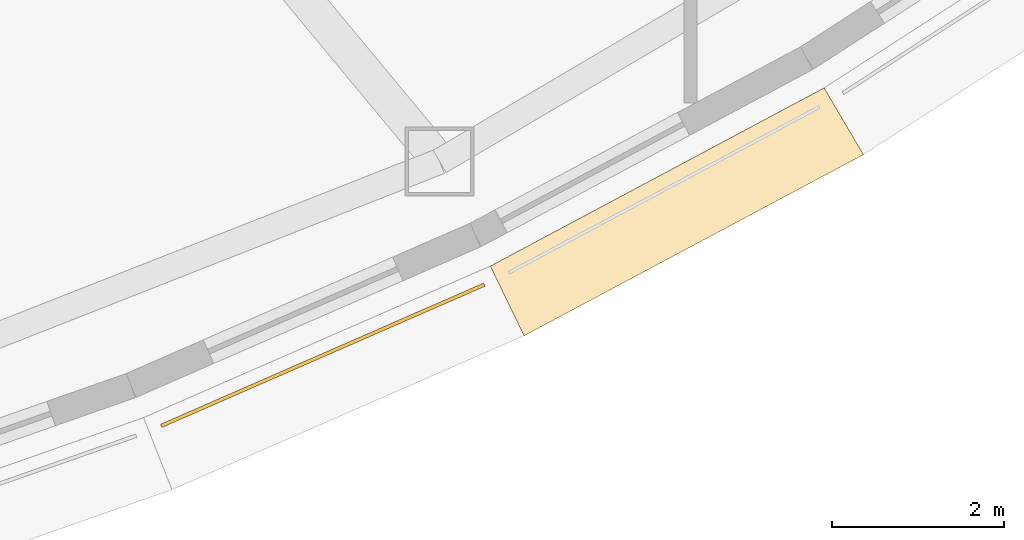
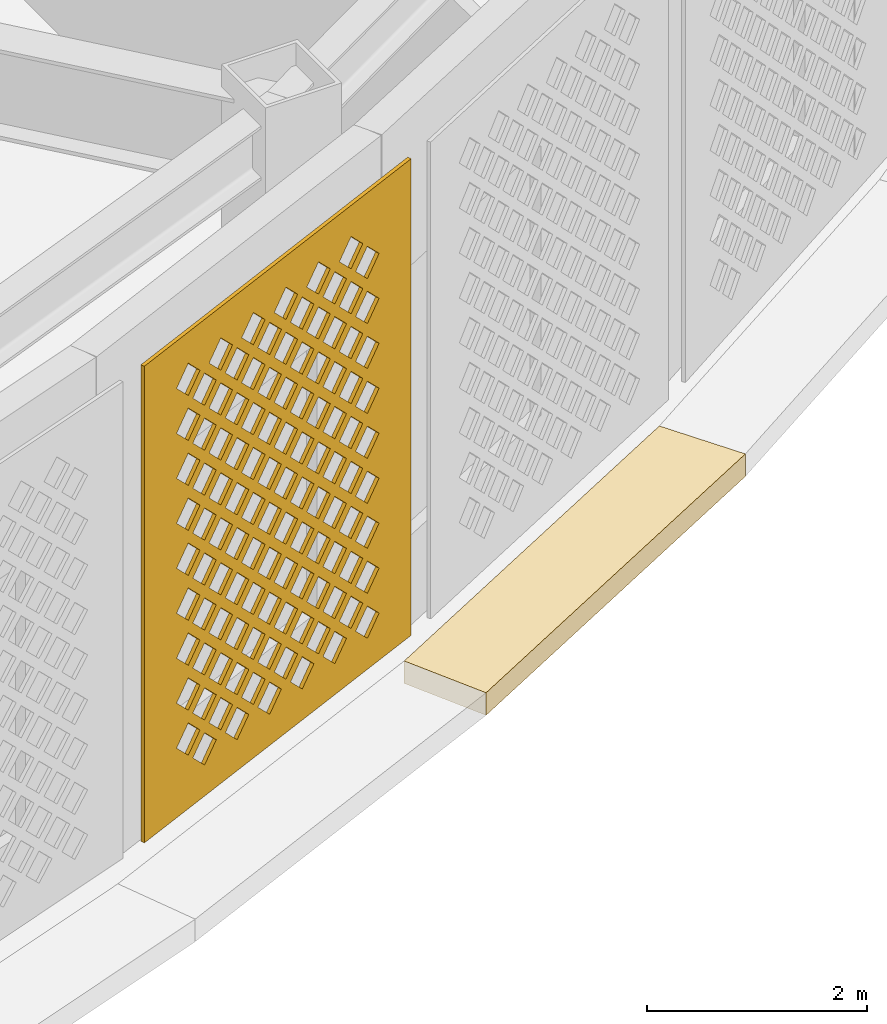
# One storey, part 64 of 74: 2 coverings.
"""IFC4 building model written with IfcOpenShell, lengths in metres."""

from ifc_helpers import new_model, si_unit, direction, frame, origin, place, context, subcontext, project, spatial, polyline, outline, extrude, material, layer, layer_set, type_object, element, save


model = new_model("IFC4")

# Units and contexts
model_context = context("Model", 3, precision=1e-05, world=origin(), true_north=direction((0.0, 1.0)))
body_context = subcontext(model_context, "Body", "Model", "MODEL_VIEW")
ifc_project = project(units=[si_unit("LENGTHUNIT", "METRE"), si_unit("AREAUNIT", "SQUARE_METRE"), si_unit("VOLUMEUNIT", "CUBIC_METRE"), si_unit("PLANEANGLEUNIT", "RADIAN"), si_unit("MASSUNIT", "GRAM", prefix="KILO")], contexts=[model_context])

# Site, building, storey
site_placement = place(None, origin())
site = spatial("IfcSite", under=ifc_project, at=site_placement, CompositionType="ELEMENT")
building_placement = place(site_placement, origin())
building = spatial("IfcBuilding", under=site, at=building_placement, Name="Noorbagh Ring Tower", CompositionType="ELEMENT")
storey_placement = place(building_placement, frame((0.0, 0.0, 13.5)))
storey = spatial("IfcBuildingStorey", under=building, at=storey_placement, Name="L02", CompositionType="ELEMENT", Elevation=13.5)

# Coverings
ifc_material_1 = material(Name="Red sandstone eave", Category="masonry")
covering_type_1 = type_object("IfcCoveringType", Name="STY-CHHAJJA", PredefinedType="USERDEFINED", material=ifc_material_1)
covering_1_placement = place(storey_placement, frame((0.0, 0.0, -0.25)))
element("IfcCovering", 1, at=covering_1_placement, inside=storey, type_object=covering_type_1, Name="Chhajja eave", ObjectType="CHHAJJA", PredefinedType="USERDEFINED", context=body_context, shape_type="SweptSolid", body=[
    extrude(outline(polyline([(27.67578125, -33.864013671875), (31.5546875, -31.793701171875), (32.011474609375, -32.56982421875), (28.068603515625, -34.674560546875), (27.67578125, -33.864013671875)])), origin(), (0.0, 0.0, 1.0), 0.25),
])
ifc_material_2 = material(Name="Red sandstone jali", Category="masonry")
ifc_layer = layer(ifc_material_2, 0.0400390625)
ifc_layer_set = layer_set([ifc_layer], Name="Red sandstone jali")
covering_type_2 = type_object("IfcCoveringType", Name="STY-JALI", PredefinedType="USERDEFINED", material=ifc_layer_set)
covering_2_placement = place(storey_placement, frame((23.860595703125, -35.73876953125, 0.449951171875), z_axis=(0.400468668207, -0.916310452731, 0.0), x_axis=(0.916310452731, 0.400468668207, 0.0)))
element("IfcCovering", 2, at=covering_2_placement, inside=storey, type_object=covering_type_2, Name="Jali screen", ObjectType="SCREEN", PredefinedType="USERDEFINED", context=body_context, shape_type="SweptSolid", body=[
    extrude(outline(polyline([(0.0, 0.0), (4.0966796875, 0.0), (4.0966796875, 5.300048828125), (0.0, 5.300048828125), (0.0, 0.0)]), holes=[polyline([(0.743408203125, 0.52490234375), (0.92333984375, 0.344970703125), (1.103515625, 0.52490234375), (0.92333984375, 0.705078125), (0.743408203125, 0.52490234375)]), polyline([(1.243408203125, 0.52490234375), (1.42333984375, 0.344970703125), (1.603515625, 0.52490234375), (1.42333984375, 0.705078125), (1.243408203125, 0.52490234375)]), polyline([(1.743408203125, 0.52490234375), (1.92333984375, 0.344970703125), (2.103515625, 0.52490234375), (1.92333984375, 0.705078125), (1.743408203125, 0.52490234375)]), polyline([(2.243408203125, 0.52490234375), (2.42333984375, 0.344970703125), (2.603515625, 0.52490234375), (2.42333984375, 0.705078125), (2.243408203125, 0.52490234375)]), polyline([(2.743408203125, 0.52490234375), (2.92333984375, 0.344970703125), (3.103515625, 0.52490234375), (2.92333984375, 0.705078125), (2.743408203125, 0.52490234375)]), polyline([(3.243408203125, 0.52490234375), (3.42333984375, 0.344970703125), (3.603515625, 0.52490234375), (3.42333984375, 0.705078125), (3.243408203125, 0.52490234375)]), polyline([(0.493408203125, 0.77490234375), (0.67333984375, 0.594970703125), (0.853515625, 0.77490234375), (0.67333984375, 0.955078125), (0.493408203125, 0.77490234375)]), polyline([(0.993408203125, 0.77490234375), (1.17333984375, 0.594970703125), (1.353515625, 0.77490234375), (1.17333984375, 0.955078125), (0.993408203125, 0.77490234375)]), polyline([(1.493408203125, 0.77490234375), (1.67333984375, 0.594970703125), (1.853515625, 0.77490234375), (1.67333984375, 0.955078125), (1.493408203125, 0.77490234375)]), polyline([(1.993408203125, 0.77490234375), (2.17333984375, 0.594970703125), (2.353515625, 0.77490234375), (2.17333984375, 0.955078125), (1.993408203125, 0.77490234375)]), polyline([(2.493408203125, 0.77490234375), (2.67333984375, 0.594970703125), (2.853515625, 0.77490234375), (2.67333984375, 0.955078125), (2.493408203125, 0.77490234375)]), polyline([(2.993408203125, 0.77490234375), (3.17333984375, 0.594970703125), (3.353515625, 0.77490234375), (3.17333984375, 0.955078125), (2.993408203125, 0.77490234375)]), polyline([(0.743408203125, 1.02490234375), (0.92333984375, 0.844970703125), (1.103515625, 1.02490234375), (0.92333984375, 1.205078125), (0.743408203125, 1.02490234375)]), polyline([(1.243408203125, 1.02490234375), (1.42333984375, 0.844970703125), (1.603515625, 1.02490234375), (1.42333984375, 1.205078125), (1.243408203125, 1.02490234375)]), polyline([(1.743408203125, 1.02490234375), (1.92333984375, 0.844970703125), (2.103515625, 1.02490234375), (1.92333984375, 1.205078125), (1.743408203125, 1.02490234375)]), polyline([(2.243408203125, 1.02490234375), (2.42333984375, 0.844970703125), (2.603515625, 1.02490234375), (2.42333984375, 1.205078125), (2.243408203125, 1.02490234375)]), polyline([(2.743408203125, 1.02490234375), (2.92333984375, 0.844970703125), (3.103515625, 1.02490234375), (2.92333984375, 1.205078125), (2.743408203125, 1.02490234375)]), polyline([(3.243408203125, 1.02490234375), (3.42333984375, 0.844970703125), (3.603515625, 1.02490234375), (3.42333984375, 1.205078125), (3.243408203125, 1.02490234375)]), polyline([(0.493408203125, 1.27490234375), (0.67333984375, 1.094970703125), (0.853515625, 1.27490234375), (0.67333984375, 1.455078125), (0.493408203125, 1.27490234375)]), polyline([(0.993408203125, 1.27490234375), (1.17333984375, 1.094970703125), (1.353515625, 1.27490234375), (1.17333984375, 1.455078125), (0.993408203125, 1.27490234375)]), polyline([(1.493408203125, 1.27490234375), (1.67333984375, 1.094970703125), (1.853515625, 1.27490234375), (1.67333984375, 1.455078125), (1.493408203125, 1.27490234375)]), polyline([(1.993408203125, 1.27490234375), (2.17333984375, 1.094970703125), (2.353515625, 1.27490234375), (2.17333984375, 1.455078125), (1.993408203125, 1.27490234375)]), polyline([(2.493408203125, 1.27490234375), (2.67333984375, 1.094970703125), (2.853515625, 1.27490234375), (2.67333984375, 1.455078125), (2.493408203125, 1.27490234375)]), polyline([(2.993408203125, 1.27490234375), (3.17333984375, 1.094970703125), (3.353515625, 1.27490234375), (3.17333984375, 1.455078125), (2.993408203125, 1.27490234375)]), polyline([(0.743408203125, 1.52490234375), (0.92333984375, 1.344970703125), (1.103515625, 1.52490234375), (0.92333984375, 1.705078125), (0.743408203125, 1.52490234375)]), polyline([(1.243408203125, 1.52490234375), (1.42333984375, 1.344970703125), (1.603515625, 1.52490234375), (1.42333984375, 1.705078125), (1.243408203125, 1.52490234375)]), polyline([(1.743408203125, 1.52490234375), (1.92333984375, 1.344970703125), (2.103515625, 1.52490234375), (1.92333984375, 1.705078125), (1.743408203125, 1.52490234375)]), polyline([(2.243408203125, 1.52490234375), (2.42333984375, 1.344970703125), (2.603515625, 1.52490234375), (2.42333984375, 1.705078125), (2.243408203125, 1.52490234375)]), polyline([(2.743408203125, 1.52490234375), (2.92333984375, 1.344970703125), (3.103515625, 1.52490234375), (2.92333984375, 1.705078125), (2.743408203125, 1.52490234375)]), polyline([(3.243408203125, 1.52490234375), (3.42333984375, 1.344970703125), (3.603515625, 1.52490234375), (3.42333984375, 1.705078125), (3.243408203125, 1.52490234375)]), polyline([(0.493408203125, 1.77490234375), (0.67333984375, 1.594970703125), (0.853515625, 1.77490234375), (0.67333984375, 1.955078125), (0.493408203125, 1.77490234375)]), polyline([(0.993408203125, 1.77490234375), (1.17333984375, 1.594970703125), (1.353515625, 1.77490234375), (1.17333984375, 1.955078125), (0.993408203125, 1.77490234375)]), polyline([(1.493408203125, 1.77490234375), (1.67333984375, 1.594970703125), (1.853515625, 1.77490234375), (1.67333984375, 1.955078125), (1.493408203125, 1.77490234375)]), polyline([(1.993408203125, 1.77490234375), (2.17333984375, 1.594970703125), (2.353515625, 1.77490234375), (2.17333984375, 1.955078125), (1.993408203125, 1.77490234375)]), polyline([(2.493408203125, 1.77490234375), (2.67333984375, 1.594970703125), (2.853515625, 1.77490234375), (2.67333984375, 1.955078125), (2.493408203125, 1.77490234375)]), polyline([(2.993408203125, 1.77490234375), (3.17333984375, 1.594970703125), (3.353515625, 1.77490234375), (3.17333984375, 1.955078125), (2.993408203125, 1.77490234375)]), polyline([(0.743408203125, 2.02490234375), (0.92333984375, 1.844970703125), (1.103515625, 2.02490234375), (0.92333984375, 2.205078125), (0.743408203125, 2.02490234375)]), polyline([(1.243408203125, 2.02490234375), (1.42333984375, 1.844970703125), (1.603515625, 2.02490234375), (1.42333984375, 2.205078125), (1.243408203125, 2.02490234375)]), polyline([(1.743408203125, 2.02490234375), (1.92333984375, 1.844970703125), (2.103515625, 2.02490234375), (1.92333984375, 2.205078125), (1.743408203125, 2.02490234375)]), polyline([(2.243408203125, 2.02490234375), (2.42333984375, 1.844970703125), (2.603515625, 2.02490234375), (2.42333984375, 2.205078125), (2.243408203125, 2.02490234375)]), polyline([(2.743408203125, 2.02490234375), (2.92333984375, 1.844970703125), (3.103515625, 2.02490234375), (2.92333984375, 2.205078125), (2.743408203125, 2.02490234375)]), polyline([(3.243408203125, 2.02490234375), (3.42333984375, 1.844970703125), (3.603515625, 2.02490234375), (3.42333984375, 2.205078125), (3.243408203125, 2.02490234375)]), polyline([(0.493408203125, 2.27490234375), (0.67333984375, 2.094970703125), (0.853515625, 2.27490234375), (0.67333984375, 2.455078125), (0.493408203125, 2.27490234375)]), polyline([(0.993408203125, 2.27490234375), (1.17333984375, 2.094970703125), (1.353515625, 2.27490234375), (1.17333984375, 2.455078125), (0.993408203125, 2.27490234375)]), polyline([(1.493408203125, 2.27490234375), (1.67333984375, 2.094970703125), (1.853515625, 2.27490234375), (1.67333984375, 2.455078125), (1.493408203125, 2.27490234375)]), polyline([(1.993408203125, 2.27490234375), (2.17333984375, 2.094970703125), (2.353515625, 2.27490234375), (2.17333984375, 2.455078125), (1.993408203125, 2.27490234375)]), polyline([(2.493408203125, 2.27490234375), (2.67333984375, 2.094970703125), (2.853515625, 2.27490234375), (2.67333984375, 2.455078125), (2.493408203125, 2.27490234375)]), polyline([(2.993408203125, 2.27490234375), (3.17333984375, 2.094970703125), (3.353515625, 2.27490234375), (3.17333984375, 2.455078125), (2.993408203125, 2.27490234375)]), polyline([(0.743408203125, 2.52490234375), (0.92333984375, 2.344970703125), (1.103515625, 2.52490234375), (0.92333984375, 2.705078125), (0.743408203125, 2.52490234375)]), polyline([(1.243408203125, 2.52490234375), (1.42333984375, 2.344970703125), (1.603515625, 2.52490234375), (1.42333984375, 2.705078125), (1.243408203125, 2.52490234375)]), polyline([(1.743408203125, 2.52490234375), (1.92333984375, 2.344970703125), (2.103515625, 2.52490234375), (1.92333984375, 2.705078125), (1.743408203125, 2.52490234375)]), polyline([(2.243408203125, 2.52490234375), (2.42333984375, 2.344970703125), (2.603515625, 2.52490234375), (2.42333984375, 2.705078125), (2.243408203125, 2.52490234375)]), polyline([(2.743408203125, 2.52490234375), (2.92333984375, 2.344970703125), (3.103515625, 2.52490234375), (2.92333984375, 2.705078125), (2.743408203125, 2.52490234375)]), polyline([(3.243408203125, 2.52490234375), (3.42333984375, 2.344970703125), (3.603515625, 2.52490234375), (3.42333984375, 2.705078125), (3.243408203125, 2.52490234375)]), polyline([(0.493408203125, 2.77490234375), (0.67333984375, 2.594970703125), (0.853515625, 2.77490234375), (0.67333984375, 2.955078125), (0.493408203125, 2.77490234375)]), polyline([(0.993408203125, 2.77490234375), (1.17333984375, 2.594970703125), (1.353515625, 2.77490234375), (1.17333984375, 2.955078125), (0.993408203125, 2.77490234375)]), polyline([(1.493408203125, 2.77490234375), (1.67333984375, 2.594970703125), (1.853515625, 2.77490234375), (1.67333984375, 2.955078125), (1.493408203125, 2.77490234375)]), polyline([(1.993408203125, 2.77490234375), (2.17333984375, 2.594970703125), (2.353515625, 2.77490234375), (2.17333984375, 2.955078125), (1.993408203125, 2.77490234375)]), polyline([(2.493408203125, 2.77490234375), (2.67333984375, 2.594970703125), (2.853515625, 2.77490234375), (2.67333984375, 2.955078125), (2.493408203125, 2.77490234375)]), polyline([(2.993408203125, 2.77490234375), (3.17333984375, 2.594970703125), (3.353515625, 2.77490234375), (3.17333984375, 2.955078125), (2.993408203125, 2.77490234375)]), polyline([(0.743408203125, 3.02490234375), (0.92333984375, 2.844970703125), (1.103515625, 3.02490234375), (0.92333984375, 3.205078125), (0.743408203125, 3.02490234375)]), polyline([(1.243408203125, 3.02490234375), (1.42333984375, 2.844970703125), (1.603515625, 3.02490234375), (1.42333984375, 3.205078125), (1.243408203125, 3.02490234375)]), polyline([(1.743408203125, 3.02490234375), (1.92333984375, 2.844970703125), (2.103515625, 3.02490234375), (1.92333984375, 3.205078125), (1.743408203125, 3.02490234375)]), polyline([(2.243408203125, 3.02490234375), (2.42333984375, 2.844970703125), (2.603515625, 3.02490234375), (2.42333984375, 3.205078125), (2.243408203125, 3.02490234375)]), polyline([(2.743408203125, 3.02490234375), (2.92333984375, 2.844970703125), (3.103515625, 3.02490234375), (2.92333984375, 3.205078125), (2.743408203125, 3.02490234375)]), polyline([(3.243408203125, 3.02490234375), (3.42333984375, 2.844970703125), (3.603515625, 3.02490234375), (3.42333984375, 3.205078125), (3.243408203125, 3.02490234375)]), polyline([(0.493408203125, 3.27490234375), (0.67333984375, 3.094970703125), (0.853515625, 3.27490234375), (0.67333984375, 3.455078125), (0.493408203125, 3.27490234375)]), polyline([(0.993408203125, 3.27490234375), (1.17333984375, 3.094970703125), (1.353515625, 3.27490234375), (1.17333984375, 3.455078125), (0.993408203125, 3.27490234375)]), polyline([(1.493408203125, 3.27490234375), (1.67333984375, 3.094970703125), (1.853515625, 3.27490234375), (1.67333984375, 3.455078125), (1.493408203125, 3.27490234375)]), polyline([(1.993408203125, 3.27490234375), (2.17333984375, 3.094970703125), (2.353515625, 3.27490234375), (2.17333984375, 3.455078125), (1.993408203125, 3.27490234375)]), polyline([(2.493408203125, 3.27490234375), (2.67333984375, 3.094970703125), (2.853515625, 3.27490234375), (2.67333984375, 3.455078125), (2.493408203125, 3.27490234375)]), polyline([(2.993408203125, 3.27490234375), (3.17333984375, 3.094970703125), (3.353515625, 3.27490234375), (3.17333984375, 3.455078125), (2.993408203125, 3.27490234375)]), polyline([(0.743408203125, 3.52490234375), (0.92333984375, 3.344970703125), (1.103515625, 3.52490234375), (0.92333984375, 3.705078125), (0.743408203125, 3.52490234375)]), polyline([(1.243408203125, 3.52490234375), (1.42333984375, 3.344970703125), (1.603515625, 3.52490234375), (1.42333984375, 3.705078125), (1.243408203125, 3.52490234375)]), polyline([(1.743408203125, 3.52490234375), (1.92333984375, 3.344970703125), (2.103515625, 3.52490234375), (1.92333984375, 3.705078125), (1.743408203125, 3.52490234375)]), polyline([(2.243408203125, 3.52490234375), (2.42333984375, 3.344970703125), (2.603515625, 3.52490234375), (2.42333984375, 3.705078125), (2.243408203125, 3.52490234375)]), polyline([(2.743408203125, 3.52490234375), (2.92333984375, 3.344970703125), (3.103515625, 3.52490234375), (2.92333984375, 3.705078125), (2.743408203125, 3.52490234375)]), polyline([(3.243408203125, 3.52490234375), (3.42333984375, 3.344970703125), (3.603515625, 3.52490234375), (3.42333984375, 3.705078125), (3.243408203125, 3.52490234375)]), polyline([(0.493408203125, 3.77490234375), (0.67333984375, 3.594970703125), (0.853515625, 3.77490234375), (0.67333984375, 3.955078125), (0.493408203125, 3.77490234375)]), polyline([(0.993408203125, 3.77490234375), (1.17333984375, 3.594970703125), (1.353515625, 3.77490234375), (1.17333984375, 3.955078125), (0.993408203125, 3.77490234375)]), polyline([(1.493408203125, 3.77490234375), (1.67333984375, 3.594970703125), (1.853515625, 3.77490234375), (1.67333984375, 3.955078125), (1.493408203125, 3.77490234375)]), polyline([(1.993408203125, 3.77490234375), (2.17333984375, 3.594970703125), (2.353515625, 3.77490234375), (2.17333984375, 3.955078125), (1.993408203125, 3.77490234375)]), polyline([(2.493408203125, 3.77490234375), (2.67333984375, 3.594970703125), (2.853515625, 3.77490234375), (2.67333984375, 3.955078125), (2.493408203125, 3.77490234375)]), polyline([(2.993408203125, 3.77490234375), (3.17333984375, 3.594970703125), (3.353515625, 3.77490234375), (3.17333984375, 3.955078125), (2.993408203125, 3.77490234375)]), polyline([(0.743408203125, 4.02490234375), (0.92333984375, 3.844970703125), (1.103515625, 4.02490234375), (0.92333984375, 4.205078125), (0.743408203125, 4.02490234375)]), polyline([(1.243408203125, 4.02490234375), (1.42333984375, 3.844970703125), (1.603515625, 4.02490234375), (1.42333984375, 4.205078125), (1.243408203125, 4.02490234375)]), polyline([(1.743408203125, 4.02490234375), (1.92333984375, 3.844970703125), (2.103515625, 4.02490234375), (1.92333984375, 4.205078125), (1.743408203125, 4.02490234375)]), polyline([(2.243408203125, 4.02490234375), (2.42333984375, 3.844970703125), (2.603515625, 4.02490234375), (2.42333984375, 4.205078125), (2.243408203125, 4.02490234375)]), polyline([(2.743408203125, 4.02490234375), (2.92333984375, 3.844970703125), (3.103515625, 4.02490234375), (2.92333984375, 4.205078125), (2.743408203125, 4.02490234375)]), polyline([(3.243408203125, 4.02490234375), (3.42333984375, 3.844970703125), (3.603515625, 4.02490234375), (3.42333984375, 4.205078125), (3.243408203125, 4.02490234375)]), polyline([(0.493408203125, 4.27490234375), (0.67333984375, 4.094970703125), (0.853515625, 4.27490234375), (0.67333984375, 4.455078125), (0.493408203125, 4.27490234375)]), polyline([(0.993408203125, 4.27490234375), (1.17333984375, 4.094970703125), (1.353515625, 4.27490234375), (1.17333984375, 4.455078125), (0.993408203125, 4.27490234375)]), polyline([(1.493408203125, 4.27490234375), (1.67333984375, 4.094970703125), (1.853515625, 4.27490234375), (1.67333984375, 4.455078125), (1.493408203125, 4.27490234375)]), polyline([(1.993408203125, 4.27490234375), (2.17333984375, 4.094970703125), (2.353515625, 4.27490234375), (2.17333984375, 4.455078125), (1.993408203125, 4.27490234375)]), polyline([(2.493408203125, 4.27490234375), (2.67333984375, 4.094970703125), (2.853515625, 4.27490234375), (2.67333984375, 4.455078125), (2.493408203125, 4.27490234375)]), polyline([(2.993408203125, 4.27490234375), (3.17333984375, 4.094970703125), (3.353515625, 4.27490234375), (3.17333984375, 4.455078125), (2.993408203125, 4.27490234375)]), polyline([(0.743408203125, 4.52490234375), (0.92333984375, 4.344970703125), (1.103515625, 4.52490234375), (0.92333984375, 4.705078125), (0.743408203125, 4.52490234375)]), polyline([(1.243408203125, 4.52490234375), (1.42333984375, 4.344970703125), (1.603515625, 4.52490234375), (1.42333984375, 4.705078125), (1.243408203125, 4.52490234375)]), polyline([(1.743408203125, 4.52490234375), (1.92333984375, 4.344970703125), (2.103515625, 4.52490234375), (1.92333984375, 4.705078125), (1.743408203125, 4.52490234375)]), polyline([(2.243408203125, 4.52490234375), (2.42333984375, 4.344970703125), (2.603515625, 4.52490234375), (2.42333984375, 4.705078125), (2.243408203125, 4.52490234375)]), polyline([(2.743408203125, 4.52490234375), (2.92333984375, 4.344970703125), (3.103515625, 4.52490234375), (2.92333984375, 4.705078125), (2.743408203125, 4.52490234375)]), polyline([(3.243408203125, 4.52490234375), (3.42333984375, 4.344970703125), (3.603515625, 4.52490234375), (3.42333984375, 4.705078125), (3.243408203125, 4.52490234375)]), polyline([(0.493408203125, 4.77490234375), (0.67333984375, 4.594970703125), (0.853515625, 4.77490234375), (0.67333984375, 4.955078125), (0.493408203125, 4.77490234375)]), polyline([(0.993408203125, 4.77490234375), (1.17333984375, 4.594970703125), (1.353515625, 4.77490234375), (1.17333984375, 4.955078125), (0.993408203125, 4.77490234375)]), polyline([(1.493408203125, 4.77490234375), (1.67333984375, 4.594970703125), (1.853515625, 4.77490234375), (1.67333984375, 4.955078125), (1.493408203125, 4.77490234375)]), polyline([(1.993408203125, 4.77490234375), (2.17333984375, 4.594970703125), (2.353515625, 4.77490234375), (2.17333984375, 4.955078125), (1.993408203125, 4.77490234375)]), polyline([(2.493408203125, 4.77490234375), (2.67333984375, 4.594970703125), (2.853515625, 4.77490234375), (2.67333984375, 4.955078125), (2.493408203125, 4.77490234375)]), polyline([(2.993408203125, 4.77490234375), (3.17333984375, 4.594970703125), (3.353515625, 4.77490234375), (3.17333984375, 4.955078125), (2.993408203125, 4.77490234375)])]), origin(), (0.0, 0.0, -1.0), 0.0400390625),
])

save(model, "model.ifc")
